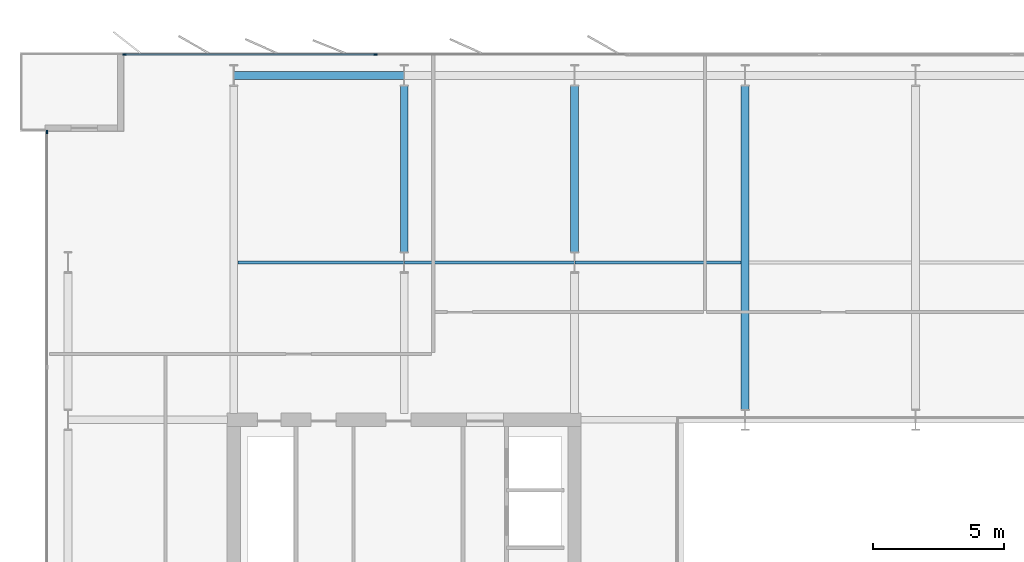
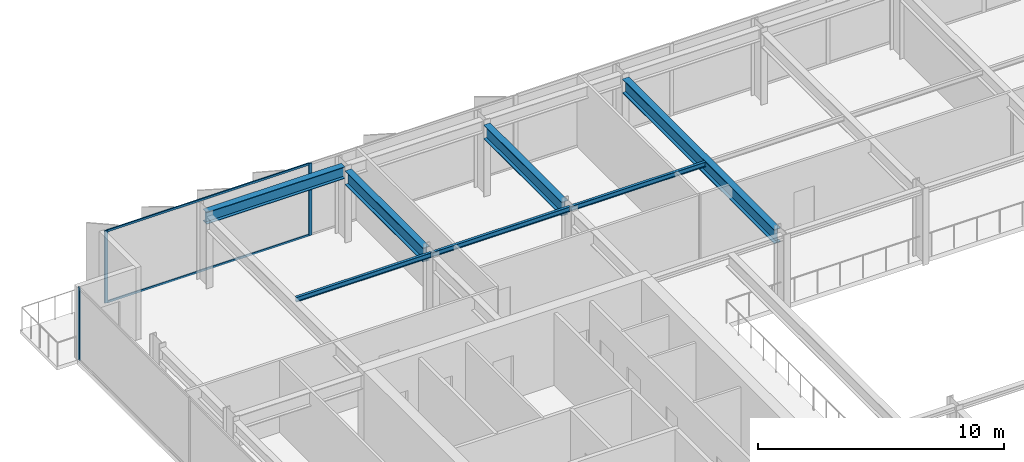
# One storey, part 10 of 23: 7 beams, 5 members, 2 elements without a shape of their own.
"""IFC4 building model written with IfcOpenShell, lengths in metres."""

from ifc_helpers import new_model, si_unit, direction, frame, origin, origin_2d, place, context, subcontext, project, spatial, rectangle, i_section, extrude, material, layer, layer_set, material_profile, profile_set, type_object, element, aggregate, save


model = new_model("IFC4")

# Units and contexts
model_context = context("Model", 3, precision=1e-05, world=origin(), true_north=direction((0.0, 1.0)))
body_context = subcontext(model_context, "Body", "Model", "MODEL_VIEW")
ifc_project = project(units=[si_unit("LENGTHUNIT", "METRE"), si_unit("AREAUNIT", "SQUARE_METRE"), si_unit("VOLUMEUNIT", "CUBIC_METRE"), si_unit("PLANEANGLEUNIT", "RADIAN"), si_unit("MASSUNIT", "GRAM", prefix="KILO")], contexts=[model_context])

# Site, building, storey
site_placement = place(None, origin())
site = spatial("IfcSite", under=ifc_project, at=site_placement, CompositionType="ELEMENT")
building_placement = place(site_placement, origin())
building = spatial("IfcBuilding", under=site, at=building_placement, Name="Putna Gate Headquarters", CompositionType="ELEMENT")
storey_placement = place(building_placement, frame((0.0, 0.0, 210.0)))
storey = spatial("IfcBuildingStorey", under=building, at=storey_placement, Name="L52", CompositionType="ELEMENT", Elevation=210.0)

# Beams
ifc_material_1 = material(Name="Steel S355J2", Category="steel")
ifc_material_profile_1 = material_profile(ifc_material_1, i_section(OverallWidth=0.300048828125, OverallDepth=0.699951171875, WebThickness=0.01708984375, FlangeThickness=0.031982421875, at=origin_2d()), Name="Steel S355J2")
ifc_profile_set_1 = profile_set([ifc_material_profile_1], Name="Steel S355J2")
beam_type_1 = type_object("IfcBeamType", Name="BM-GIRD-B-HEB700", PredefinedType="USERDEFINED", material=ifc_profile_set_1)
for number, where, z_axis, x_axis, name in (
    (1, (19.5, 39.39501953125, 3.22998046875), (0.0, 1.0, 0.0), (-1.0, 0.0, 0.0), "L52 North Primary Girder X19-2"),
    (2, (26.0, 39.39501953125, 3.22998046875), (0.0, 1.0, 0.0), (-1.0, 0.0, 0.0), "L52 North Primary Girder X26-2"),
):
    element("IfcBeam", number, at=place(storey_placement, frame(where, z_axis=z_axis, x_axis=x_axis)), inside=storey, type_object=beam_type_1, Name=name, ObjectType="GIRDER", PredefinedType="USERDEFINED", context=body_context, shape_type="SweptSolid", body=[
        extrude(i_section(OverallWidth=0.300048828125, OverallDepth=0.699951171875, WebThickness=0.01708984375, FlangeThickness=0.031982421875, at=origin_2d()), origin(), (0.0, 0.0, 1.0), 6.330078125),
    ])
beam_1_placement = place(storey_placement, frame((32.5, 33.39501953125, 3.22998046875), z_axis=(0.0, 1.0, 0.0), x_axis=(-1.0, 0.0, 0.0)))
element("IfcBeam", 3, at=beam_1_placement, inside=storey, type_object=beam_type_1, Name="L52 North Primary Girder X32", ObjectType="GIRDER", PredefinedType="USERDEFINED", context=body_context, shape_type="SweptSolid", body=[
    extrude(i_section(OverallWidth=0.300048828125, OverallDepth=0.699951171875, WebThickness=0.01708984375, FlangeThickness=0.031982421875, at=origin_2d()), origin(), (0.0, 0.0, 1.0), 12.330078125),
])
ifc_material_profile_2 = material_profile(ifc_material_1, i_section(OverallWidth=0.1201171875, OverallDepth=0.239990234375, WebThickness=0.006103515625, FlangeThickness=0.009765625, at=origin_2d()), Name="Steel S355J2")
ifc_profile_set_2 = profile_set([ifc_material_profile_2], Name="Steel S355J2")
beam_type_2 = type_object("IfcBeamType", Name="BM-SEC-Z4-IPE240", PredefinedType="JOIST", material=ifc_profile_set_2)
beam_2_placement = place(storey_placement, frame((13.154052734375, 39.0, 3.4599609375), z_axis=(1.0, 0.0, 0.0), x_axis=(0.0, 1.0, 0.0)))
element("IfcBeam", 4, at=beam_2_placement, inside=storey, type_object=beam_type_2, Name="L52 North Secondary Beam 1", PredefinedType="JOIST", context=body_context, shape_type="SweptSolid", body=[
    extrude(i_section(OverallWidth=0.1201171875, OverallDepth=0.239990234375, WebThickness=0.006103515625, FlangeThickness=0.009765625, at=origin_2d()), origin(), (0.0, 0.0, 1.0), 6.33984375),
])
beam_3_placement = place(storey_placement, frame((19.506103515625, 39.0, 3.4599609375), z_axis=(1.0, 0.0, 0.0), x_axis=(0.0, 1.0, 0.0)))
element("IfcBeam", 5, at=beam_3_placement, inside=storey, type_object=beam_type_2, Name="L52 North Secondary Beam 2", PredefinedType="JOIST", context=body_context, shape_type="SweptSolid", body=[
    extrude(i_section(OverallWidth=0.1201171875, OverallDepth=0.239990234375, WebThickness=0.006103515625, FlangeThickness=0.009765625, at=origin_2d()), origin(), (0.0, 0.0, 1.0), 6.48779296875),
])
beam_4_placement = place(storey_placement, frame((26.006103515625, 39.0, 3.4599609375), z_axis=(1.0, 0.0, 0.0), x_axis=(0.0, 1.0, 0.0)))
element("IfcBeam", 6, at=beam_4_placement, inside=storey, type_object=beam_type_2, Name="L52 North Secondary Beam 3", PredefinedType="JOIST", context=body_context, shape_type="SweptSolid", body=[
    extrude(i_section(OverallWidth=0.1201171875, OverallDepth=0.239990234375, WebThickness=0.006103515625, FlangeThickness=0.009765625, at=origin_2d()), origin(), (0.0, 0.0, 1.0), 6.33984375),
])
ifc_material_profile_3 = material_profile(ifc_material_1, i_section(OverallWidth=0.300048828125, OverallDepth=0.590087890625, WebThickness=0.012939453125, FlangeThickness=0.02490234375, at=origin_2d()), Name="Steel S355J2")
ifc_profile_set_3 = profile_set([ifc_material_profile_3], Name="Steel S355J2")
beam_type_3 = type_object("IfcBeamType", Name="BM-SPAN-Z4-HEA600", PredefinedType="SPANDREL", material=ifc_profile_set_3)
beam_5_placement = place(storey_placement, frame((13.006103515625, 46.1201171875, 3.284912109375), z_axis=(1.0, 0.0, 0.0), x_axis=(0.0, 1.0, 0.0)))
element("IfcBeam", 7, at=beam_5_placement, inside=storey, type_object=beam_type_3, Name="L52 N Perimeter Spandrel 1", PredefinedType="SPANDREL", context=body_context, shape_type="SweptSolid", body=[
    extrude(i_section(OverallWidth=0.300048828125, OverallDepth=0.590087890625, WebThickness=0.012939453125, FlangeThickness=0.02490234375, at=origin_2d()), origin(), (0.0, 0.0, 1.0), 6.48779296875),
])

# Curtain wall, members
ifc_material_2 = material(Name="Anodised bronze aluminium curtain wall", Category="aluminium")
ifc_layer = layer(ifc_material_2, 0.139892578125)
ifc_layer_set = layer_set([ifc_layer], Name="Anodised bronze aluminium curtain wall")
curtain_wall_type = type_object("IfcCurtainWallType", Name="CW-SYS-Z4", PredefinedType="USERDEFINED", material=ifc_layer_set)
curtain_wall_1_placement = place(storey_placement, origin())
curtain_wall_1 = element("IfcCurtainWall", 8, at=curtain_wall_1_placement, inside=storey, type_object=curtain_wall_type, Name="L52 North West Curtain Wall", ObjectType="STICK CURTAIN WALL", PredefinedType="USERDEFINED")
ifc_material_3 = material(Name="Anodised bronze aluminium EN AW-6060", Category="aluminium")
ifc_material_profile_4 = material_profile(ifc_material_3, rectangle(XDim=0.06005859375, YDim=0.139892578125, at=origin_2d()), Name="Anodised bronze aluminium EN AW-6060")
ifc_profile_set_4 = profile_set([ifc_material_profile_4], Name="Anodised bronze aluminium EN AW-6060")
member_type_1 = type_object("IfcMemberType", Name="MULL-CWM-4", PredefinedType="MULLION", material=ifc_profile_set_4)
member_1_placement = place(storey_placement, frame((8.830078125, 46.919921875, 0.0), z_axis=(0.0, 0.0, 1.0), x_axis=(0.0, 1.0, 0.0)))
member_1 = element("IfcMember", 9, at=member_1_placement, type_object=member_type_1, Name="CWS-4 mullion 1", PredefinedType="MULLION", context=body_context, shape_type="SweptSolid", body=[
    extrude(rectangle(XDim=0.06005859375, YDim=0.139892578125, at=origin_2d()), origin(), (0.0, 0.0, 1.0), 3.580078125),
])
member_2_placement = place(storey_placement, frame((18.39990234375, 46.919921875, 0.0), z_axis=(0.0, 0.0, 1.0), x_axis=(0.0, 1.0, 0.0)))
member_2 = element("IfcMember", 10, at=member_2_placement, type_object=member_type_1, Name="CWS-4 mullion 2", PredefinedType="MULLION", context=body_context, shape_type="SweptSolid", body=[
    extrude(rectangle(XDim=0.06005859375, YDim=0.139892578125, at=origin_2d()), origin(), (0.0, 0.0, 1.0), 3.580078125),
])

# Curtain wall, member
curtain_wall_2_placement = place(storey_placement, origin())
curtain_wall_2 = element("IfcCurtainWall", 11, at=curtain_wall_2_placement, inside=storey, type_object=curtain_wall_type, Name="L52 West Curtain Wall", ObjectType="STICK CURTAIN WALL", PredefinedType="USERDEFINED")
member_3_placement = place(storey_placement, frame((5.8798828125, 43.969970703125, 0.0), z_axis=(0.0, 0.0, 1.0), x_axis=(-1.0, 0.0, 0.0)))
member_3 = element("IfcMember", 12, at=member_3_placement, type_object=member_type_1, Name="CWS-4 mullion 5", PredefinedType="MULLION", context=body_context, shape_type="SweptSolid", body=[
    extrude(rectangle(XDim=0.06005859375, YDim=0.139892578125, at=origin_2d()), origin(), (0.0, 0.0, 1.0), 3.580078125),
])
aggregate(curtain_wall_2, [member_3])

# Member
ifc_material_profile_5 = material_profile(ifc_material_3, rectangle(XDim=0.06005859375, YDim=0.10009765625, at=origin_2d()), Name="Anodised bronze aluminium EN AW-6060")
ifc_profile_set_5 = profile_set([ifc_material_profile_5], Name="Anodised bronze aluminium EN AW-6060")
member_type_2 = type_object("IfcMemberType", Name="TRAN-CWT-4", PredefinedType="USERDEFINED", material=ifc_profile_set_5)
member_4_placement = place(storey_placement, frame((8.860107421875, 46.919921875, 0.030029296875), z_axis=(1.0, 0.0, 0.0), x_axis=(0.0, 1.0, 0.0)))
member_4 = element("IfcMember", 13, at=member_4_placement, type_object=member_type_2, Name="CWS-4 transom 1.1", ObjectType="TRANSOM", PredefinedType="USERDEFINED", context=body_context, shape_type="SweptSolid", body=[
    extrude(rectangle(XDim=0.06005859375, YDim=0.10009765625, at=origin_2d()), origin(), (0.0, 0.0, 1.0), 9.510009765625),
])

member_5_placement = place(storey_placement, frame((8.860107421875, 46.919921875, 3.550048828125), z_axis=(1.0, 0.0, 0.0), x_axis=(0.0, 1.0, 0.0)))
member_5 = element("IfcMember", 14, at=member_5_placement, type_object=member_type_2, Name="CWS-4 transom 1.2", ObjectType="TRANSOM", PredefinedType="USERDEFINED", context=body_context, shape_type="SweptSolid", body=[
    extrude(rectangle(XDim=0.06005859375, YDim=0.10009765625, at=origin_2d()), origin(), (0.0, 0.0, 1.0), 9.510009765625),
])

aggregate(curtain_wall_1, [member_1, member_2, member_4, member_5])

save(model, "model.ifc")
